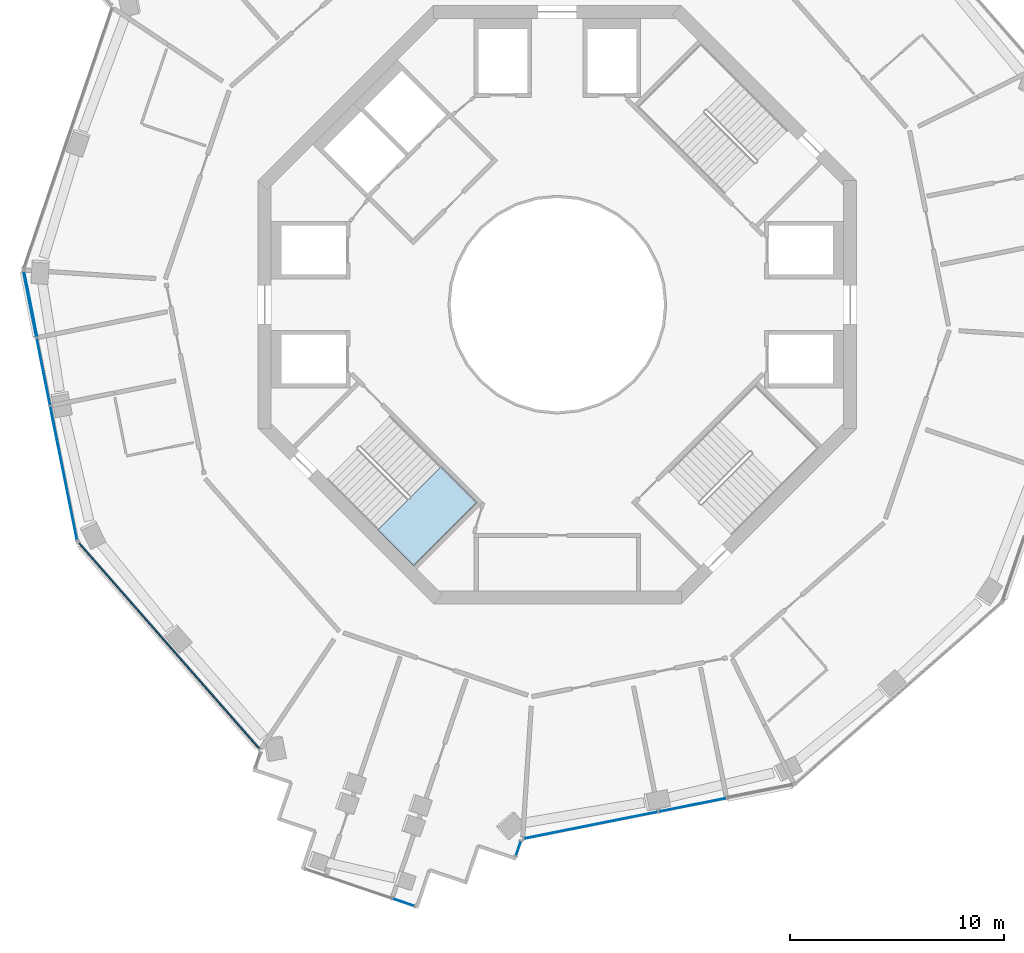
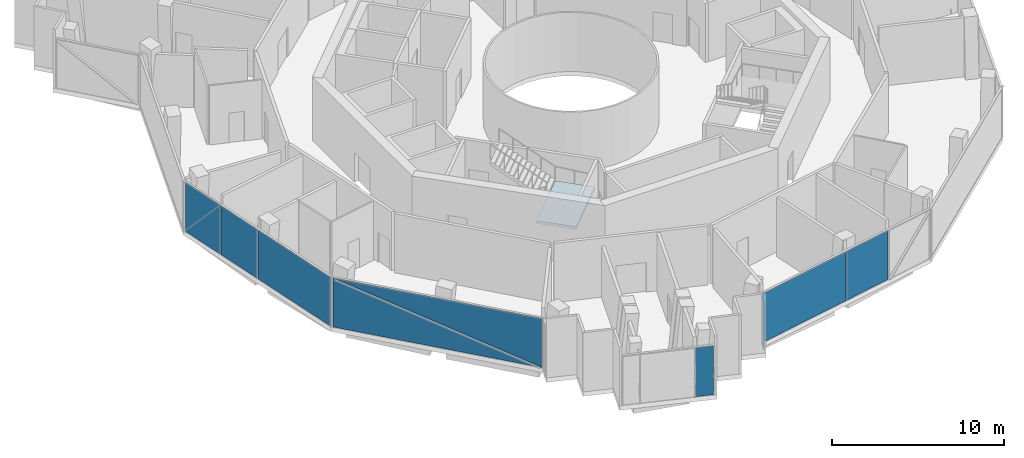
# One storey, part 8 of 17: 10 plates, 1 slab, 6 elements without a shape of their own.
"""IFC4 building model written with IfcOpenShell, lengths in metres."""

from ifc_helpers import new_model, si_unit, direction, frame, origin, origin_2d, place, context, subcontext, project, spatial, polyline, rectangle, outline, extrude, material, layer, layer_set, type_object, element, aggregate, save


model = new_model("IFC4")

# Units and contexts
model_context = context("Model", 3, precision=1e-05, world=origin(), true_north=direction((0.0, 1.0)))
body_context = subcontext(model_context, "Body", "Model", "MODEL_VIEW")
ifc_project = project(units=[si_unit("LENGTHUNIT", "METRE"), si_unit("AREAUNIT", "SQUARE_METRE"), si_unit("VOLUMEUNIT", "CUBIC_METRE"), si_unit("PLANEANGLEUNIT", "RADIAN"), si_unit("MASSUNIT", "GRAM", prefix="KILO")], contexts=[model_context])

# Site, building, storey
site_placement = place(None, origin())
site = spatial("IfcSite", under=ifc_project, at=site_placement, CompositionType="ELEMENT")
building_placement = place(site_placement, origin())
building = spatial("IfcBuilding", under=site, at=building_placement, Name="Verdalira Terraces Hotel", CompositionType="ELEMENT")
storey_placement = place(building_placement, frame((0.0, 0.0, 201.0)))
storey = spatial("IfcBuildingStorey", under=building, at=storey_placement, Name="L49", CompositionType="ELEMENT", Elevation=201.0)

# Curtain wall, plates
ifc_material_1 = material(Name="Clear glass", Category="glass")
ifc_layer_1 = layer(ifc_material_1, 0.179931640625)
ifc_layer_set_1 = layer_set([ifc_layer_1], Name="CW4 curtain wall")
curtain_wall_type = type_object("IfcCurtainWallType", Name="CW4 curtain wall", PredefinedType="NOTDEFINED", material=ifc_layer_set_1)
curtain_wall_1_placement = place(storey_placement, origin())
curtain_wall_1 = element("IfcCurtainWall", 1, at=curtain_wall_1_placement, inside=storey, type_object=curtain_wall_type, Name="CW4 curtain wall L49 edge 12", PredefinedType="NOTDEFINED")
ifc_material_2 = material(Name="Clear glass", Category="glass")
ifc_layer_2 = layer(ifc_material_2, 0.035888671875)
ifc_layer_set_2 = layer_set([ifc_layer_2], Name="CW4 glass unit 36")
plate_type = type_object("IfcPlateType", Name="CW4 glass unit 36", PredefinedType="CURTAIN_PANEL", material=ifc_layer_set_2)
plate_1_placement = place(storey_placement, frame((-24.659668, 0.015381, 1.735107), z_axis=(-0.980682997, -0.195603833, 0.0), x_axis=(0.195603833, -0.980682997, 0.0)))
plate_1 = element("IfcPlate", 2, at=plate_1_placement, type_object=plate_type, Name="CW4 glass unit", PredefinedType="CURTAIN_PANEL", context=body_context, shape_type="SweptSolid", body=[
    extrude(outline(polyline([(-1.556152, -1.734863), (1.556152, -1.734863), (1.556152, 1.734863), (-1.556152, -1.734863)])), origin(), (0.0, 0.0, 1.0), 0.035889),
])
plate_2_placement = place(storey_placement, frame((-24.623291, 0.022705, 1.735107), z_axis=(-0.980682997, -0.195603833, 0.0), x_axis=(0.195603833, -0.980682997, 0.0)))
plate_2 = element("IfcPlate", 3, at=plate_2_placement, type_object=plate_type, Name="CW4 glass unit", PredefinedType="CURTAIN_PANEL", context=body_context, shape_type="SweptSolid", body=[
    extrude(outline(polyline([(-1.556152, -1.734863), (1.556152, 1.734863), (-1.556152, 1.734863), (-1.556152, -1.734863)])), origin(), (0.0, 0.0, 1.0), 0.035889),
])
plate_3_placement = place(storey_placement, frame((-24.048828, -3.139648, 0.0), z_axis=(0.0, 0.0, 1.0), x_axis=(0.195603833, -0.980682997, 0.0)))
plate_3 = element("IfcPlate", 4, at=plate_3_placement, type_object=plate_type, Name="CW4 glass unit", PredefinedType="CURTAIN_PANEL", context=body_context, shape_type="SweptSolid", body=[
    extrude(rectangle(XDim=3.185059, YDim=0.035889, at=origin_2d()), origin(), (0.0, 0.0, 1.0), 3.469971),
])
plate_4_placement = place(storey_placement, frame((-23.102295, -7.884766, 0.0), z_axis=(0.0, 0.0, 1.0), x_axis=(0.195603833, -0.980682997, 0.0)))
plate_4 = element("IfcPlate", 5, at=plate_4_placement, type_object=plate_type, Name="CW4 glass unit", PredefinedType="CURTAIN_PANEL", context=body_context, shape_type="SweptSolid", body=[
    extrude(rectangle(XDim=6.362305, YDim=0.035889, at=origin_2d()), origin(), (0.0, 0.0, 1.0), 3.469971),
])
aggregate(curtain_wall_1, [plate_1, plate_2, plate_3, plate_4])

curtain_wall_2_placement = place(storey_placement, origin())
curtain_wall_2 = element("IfcCurtainWall", 6, at=curtain_wall_2_placement, inside=storey, type_object=curtain_wall_type, Name="CW4 curtain wall L49 edge 13", PredefinedType="NOTDEFINED")
plate_5_placement = place(storey_placement, frame((-18.163818, -15.961426, 1.735107), z_axis=(-0.751494472, -0.659739387, 0.0), x_axis=(0.659739387, -0.751494472, 0.0)))
plate_5 = element("IfcPlate", 7, at=plate_5_placement, type_object=plate_type, Name="CW4 glass unit", PredefinedType="CURTAIN_PANEL", context=body_context, shape_type="SweptSolid", body=[
    extrude(outline(polyline([(-6.40625, -1.734863), (6.40625, -1.734863), (-6.40625, 1.734863), (-6.40625, -1.734863)])), origin(), (0.0, 0.0, 1.0), 0.035889),
])
plate_6_placement = place(storey_placement, frame((-18.135986, -15.936768, 1.735107), z_axis=(-0.751494472, -0.659739387, 0.0), x_axis=(0.659739387, -0.751494472, 0.0)))
plate_6 = element("IfcPlate", 8, at=plate_6_placement, type_object=plate_type, Name="CW4 glass unit", PredefinedType="CURTAIN_PANEL", context=body_context, shape_type="SweptSolid", body=[
    extrude(outline(polyline([(6.40625, -1.734863), (6.40625, 1.734863), (-6.40625, 1.734863), (6.40625, -1.734863)])), origin(), (0.0, 0.0, 1.0), 0.035889),
])
aggregate(curtain_wall_2, [plate_5, plate_6])

# Curtain wall, plate
curtain_wall_3_placement = place(storey_placement, origin())
curtain_wall_3 = element("IfcCurtainWall", 9, at=curtain_wall_3_placement, inside=storey, type_object=curtain_wall_type, Name="CW4 curtain wall L49 edge 19", PredefinedType="NOTDEFINED")
plate_7_placement = place(storey_placement, frame((-7.201416, -27.966553, 0.0), z_axis=(0.0, 0.0, 1.0), x_axis=(0.947098305, -0.32094361, 0.0)))
plate_7 = element("IfcPlate", 10, at=plate_7_placement, type_object=plate_type, Name="CW4 glass unit", PredefinedType="CURTAIN_PANEL", context=body_context, shape_type="SweptSolid", body=[
    extrude(rectangle(XDim=1.05957, YDim=0.035889, at=origin_2d()), origin(), (0.0, 0.0, 1.0), 3.469971),
])
aggregate(curtain_wall_3, [plate_7])

curtain_wall_4_placement = place(storey_placement, origin())
curtain_wall_4 = element("IfcCurtainWall", 11, at=curtain_wall_4_placement, inside=storey, type_object=curtain_wall_type, Name="CW4 curtain wall L49 edge 24", PredefinedType="NOTDEFINED")
plate_8_placement = place(storey_placement, frame((-1.825439, -25.452637, 0.0), z_axis=(0.0, 0.0, 1.0), x_axis=(0.32094361, 0.947098305, 0.0)))
plate_8 = element("IfcPlate", 12, at=plate_8_placement, type_object=plate_type, Name="CW4 glass unit", PredefinedType="CURTAIN_PANEL", context=body_context, shape_type="SweptSolid", body=[
    extrude(rectangle(XDim=0.702637, YDim=0.035889, at=origin_2d()), origin(), (0.0, 0.0, 1.0), 3.469971),
])
aggregate(curtain_wall_4, [plate_8])

# Curtain wall, plates
curtain_wall_5_placement = place(storey_placement, origin())
curtain_wall_5 = element("IfcCurtainWall", 13, at=curtain_wall_5_placement, inside=storey, type_object=curtain_wall_type, Name="CW4 curtain wall L49 edge 25", PredefinedType="NOTDEFINED")
plate_9_placement = place(storey_placement, frame((1.570557, -24.361816, 0.0), z_axis=(0.0, 0.0, 1.0), x_axis=(0.980682997, 0.195603833, 0.0)))
plate_9 = element("IfcPlate", 14, at=plate_9_placement, type_object=plate_type, Name="CW4 glass unit", PredefinedType="CURTAIN_PANEL", context=body_context, shape_type="SweptSolid", body=[
    extrude(rectangle(XDim=6.385254, YDim=0.035889, at=origin_2d()), origin(), (0.0, 0.0, 1.0), 3.469971),
])
plate_10_placement = place(storey_placement, frame((6.326904, -23.413086, 0.0), z_axis=(0.0, 0.0, 1.0), x_axis=(0.980682997, 0.195603833, 0.0)))
plate_10 = element("IfcPlate", 15, at=plate_10_placement, type_object=plate_type, Name="CW4 glass unit", PredefinedType="CURTAIN_PANEL", context=body_context, shape_type="SweptSolid", body=[
    extrude(rectangle(XDim=3.185059, YDim=0.035889, at=origin_2d()), origin(), (0.0, 0.0, 1.0), 3.469971),
])
aggregate(curtain_wall_5, [plate_9, plate_10])

# Stair, slab
ifc_material_3 = material(Name="Concrete C40", Category="concrete")
stair_type = type_object("IfcStairType", Name="Core stair 26 risers 2050 mm wide", PredefinedType="HALF_TURN_STAIR", material=ifc_material_3)
stair_placement = place(storey_placement, origin())
stair = element("IfcStair", 16, at=stair_placement, inside=storey, type_object=stair_type, Name="L49 Exit stair ST2", PredefinedType="HALF_TURN_STAIR")
ifc_material_4 = material(Name="Concrete C40", Category="concrete")
ifc_layer_3 = layer(ifc_material_4, 0.199951171875)
ifc_layer_set_3 = layer_set([ifc_layer_3], Name="Core stair landing 200 mm")
slab_type = type_object("IfcSlabType", Name="Core stair landing 200 mm", PredefinedType="LANDING", material=ifc_layer_set_3)
slab_placement = place(storey_placement, frame((0.0, 0.0, 2.050049)))
slab = element("IfcSlab", 17, at=slab_placement, type_object=slab_type, Name="ST2 landing 1", PredefinedType="LANDING", context=body_context, shape_type="SweptSolid", body=[
    extrude(outline(polyline([(-8.407959, -10.542725), (-6.717529, -12.23291), (-3.747559, -9.263184), (-5.437988, -7.572754), (-8.407959, -10.542725)])), origin(), (0.0, 0.0, 1.0), 0.199951),
])
aggregate(stair, [slab])

save(model, "model.ifc")
